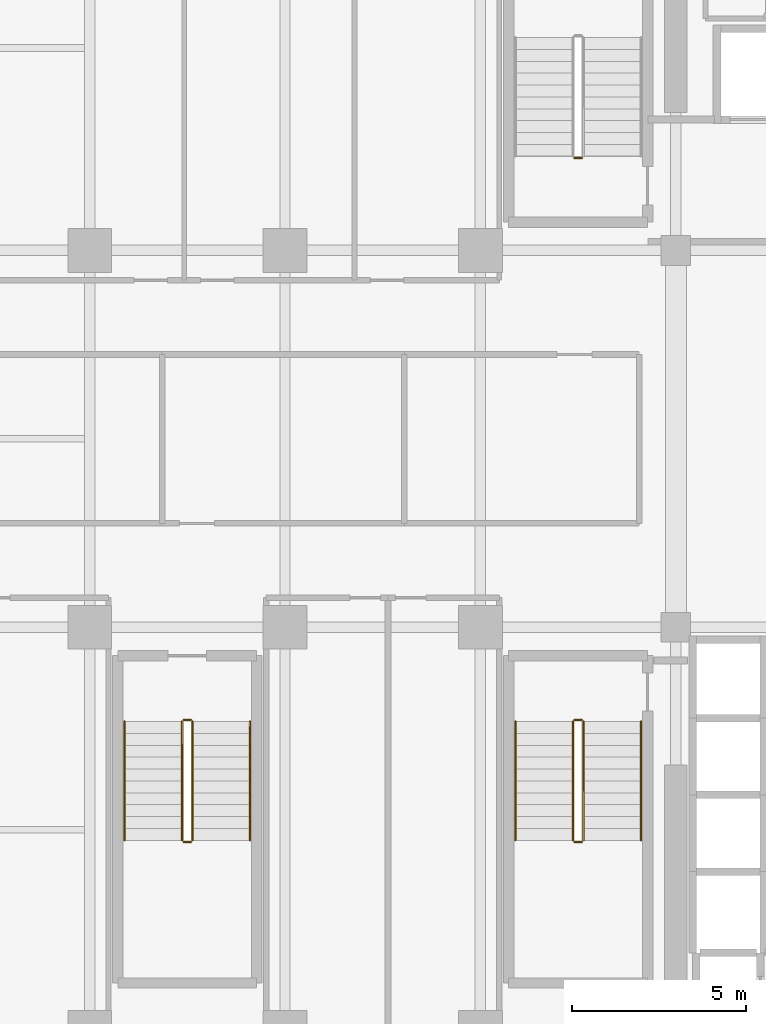
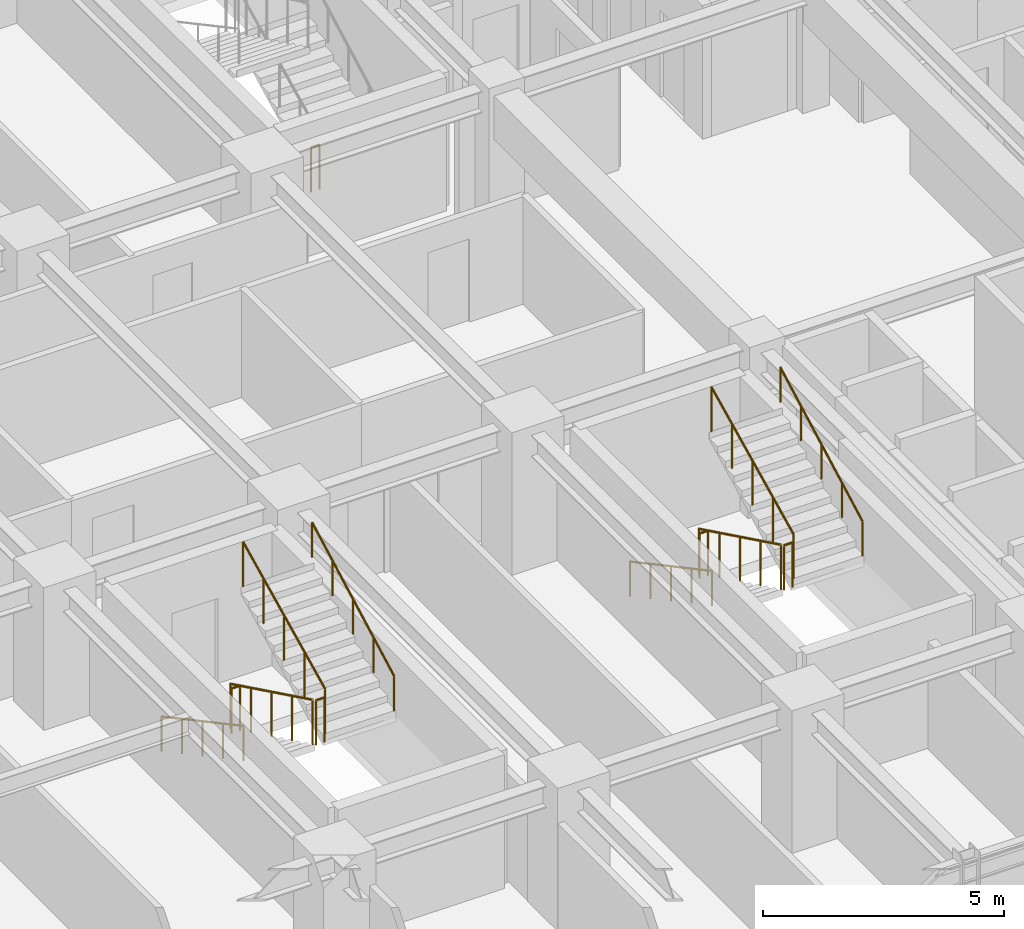
# One storey, part 31 of 34: 13 railings.
"""IFC4 building model written with IfcOpenShell, lengths in metres."""

from ifc_helpers import new_model, si_unit, direction, frame, origin, origin_2d, place, context, subcontext, project, spatial, circle, extrude, material, type_object, element, save


model = new_model("IFC4")

# Units and contexts
model_context = context("Model", 3, precision=1e-05, world=origin(), true_north=direction((0.0, 1.0)))
body_context = subcontext(model_context, "Body", "Model", "MODEL_VIEW")
ifc_project = project(units=[si_unit("LENGTHUNIT", "METRE"), si_unit("AREAUNIT", "SQUARE_METRE"), si_unit("VOLUMEUNIT", "CUBIC_METRE"), si_unit("PLANEANGLEUNIT", "RADIAN"), si_unit("MASSUNIT", "GRAM", prefix="KILO")], contexts=[model_context])

# Site, building, storey
site_placement = place(None, origin())
site = spatial("IfcSite", under=ifc_project, at=site_placement, CompositionType="ELEMENT")
building_placement = place(site_placement, origin())
building = spatial("IfcBuilding", under=site, at=building_placement, Name="Nahalor Promenade Grand Hotel", CompositionType="ELEMENT")
storey_placement = place(building_placement, frame((0.0, 0.0, 99.25)))
storey = spatial("IfcBuildingStorey", under=building, at=storey_placement, Name="L24", CompositionType="ELEMENT", Elevation=99.25)

# Railings
ifc_material = material(Name="Steel S355JR", Category="steel")
railing_type_1 = type_object("IfcRailingType", Name="Steel Stair Guardrail 1150 mm", PredefinedType="GUARDRAIL", material=ifc_material)
railing_1_placement = place(storey_placement, frame((5.699951171875, 8.050048828125, 0.0)))
element("IfcRailing", 1, at=railing_1_placement, inside=storey, type_object=railing_type_1, Name="L24 ST1 stair guard 4", PredefinedType="GUARDRAIL", context=body_context, shape_type="SweptSolid", body=[
    extrude(circle(Radius=0.024048, at=origin_2d()), frame((0.0, 0.0, 1.1259765625), z_axis=(-1.0, 0.0, 0.0), x_axis=(0.0, -1.0, 0.0)), (0.0, 0.0, 1.0), 0.199951171875),
    extrude(circle(Radius=0.020996, at=origin_2d()), origin(), (0.0, 0.0, 1.0), 1.099853515625),
    extrude(circle(Radius=0.020996, at=origin_2d()), frame((-0.199951171875, 0.0, 0.0)), (0.0, 0.0, 1.0), 1.099853515625),
])
railing_2_placement = place(storey_placement, frame((5.449951171875, -8.10009765625, 0.166015625)))
element("IfcRailing", 2, at=railing_2_placement, inside=storey, type_object=railing_type_1, Name="L24 ST2 stair guard 1", PredefinedType="GUARDRAIL", context=body_context, shape_type="SweptSolid", body=[
    extrude(circle(Radius=0.024048, at=origin_2d()), frame((0.0, 0.0, 1.1259765625), z_axis=(0.0, -0.898721922897, 0.438518990814), x_axis=(1.0, 0.0, 0.0)), (0.0, 0.0, 1.0), 3.782958984375),
    extrude(circle(Radius=0.020996, at=origin_2d()), origin(), (0.0, 0.0, 1.0), 1.099853515625),
    extrude(circle(Radius=0.020996, at=origin_2d()), frame((0.0, -0.85009765625, 0.414794921875)), (0.0, 0.0, 1.0), 1.099853515625),
    extrude(circle(Radius=0.020996, at=origin_2d()), frame((0.0, -1.699951171875, 0.82958984375)), (0.0, 0.0, 1.0), 1.099853515625),
    extrude(circle(Radius=0.020996, at=origin_2d()), frame((0.0, -2.5498046875, 1.244140625)), (0.0, 0.0, 1.0), 1.099853515625),
    extrude(circle(Radius=0.020996, at=origin_2d()), frame((0.0, -3.39990234375, 1.658935546875)), (0.0, 0.0, 1.0), 1.099853515625),
])
railing_3_placement = place(storey_placement, frame((5.5, -11.550048828125, 1.824951171875)))
element("IfcRailing", 3, at=railing_3_placement, inside=storey, type_object=railing_type_1, Name="L24 ST2 stair guard 2", PredefinedType="GUARDRAIL", context=body_context, shape_type="SweptSolid", body=[
    extrude(circle(Radius=0.024048, at=origin_2d()), frame((0.0, 0.0, 1.1259765625), z_axis=(1.0, 0.0, 0.0), x_axis=(0.0, 1.0, 0.0)), (0.0, 0.0, 1.0), 0.199951171875),
    extrude(circle(Radius=0.020996, at=origin_2d()), origin(), (0.0, 0.0, 1.0), 1.099853515625),
    extrude(circle(Radius=0.020996, at=origin_2d()), frame((0.199951171875, 0.0, 0.0)), (0.0, 0.0, 1.0), 1.099853515625),
])
railing_4_placement = place(storey_placement, frame((5.75, -11.5, 1.990966796875)))
element("IfcRailing", 4, at=railing_4_placement, inside=storey, type_object=railing_type_1, Name="L24 ST2 stair guard 3", PredefinedType="GUARDRAIL", context=body_context, shape_type="SweptSolid", body=[
    extrude(circle(Radius=0.024048, at=origin_2d()), frame((0.0, 0.0, 1.1259765625), z_axis=(0.0, 0.898721922897, 0.438518990814), x_axis=(-1.0, 0.0, 0.0)), (0.0, 0.0, 1.0), 3.782958984375),
    extrude(circle(Radius=0.020996, at=origin_2d()), origin(), (0.0, 0.0, 1.0), 1.099853515625),
    extrude(circle(Radius=0.020996, at=origin_2d()), frame((0.0, 0.85009765625, 0.414794921875)), (0.0, 0.0, 1.0), 1.099853515625),
    extrude(circle(Radius=0.020996, at=origin_2d()), frame((0.0, 1.699951171875, 0.82958984375)), (0.0, 0.0, 1.0), 1.099853515625),
    extrude(circle(Radius=0.020996, at=origin_2d()), frame((0.0, 2.5498046875, 1.244140625)), (0.0, 0.0, 1.0), 1.099853515625),
    extrude(circle(Radius=0.020996, at=origin_2d()), frame((0.0, 3.39990234375, 1.658935546875)), (0.0, 0.0, 1.0), 1.099853515625),
])
railing_5_placement = place(storey_placement, frame((5.5, -8.050048828125, 0.0)))
element("IfcRailing", 5, at=railing_5_placement, inside=storey, type_object=railing_type_1, Name="L24 ST2 stair guard 4", PredefinedType="GUARDRAIL", context=body_context, shape_type="SweptSolid", body=[
    extrude(circle(Radius=0.024048, at=origin_2d()), frame((0.0, 0.0, 1.1259765625), z_axis=(1.0, 0.0, 0.0), x_axis=(0.0, 1.0, 0.0)), (0.0, 0.0, 1.0), 0.199951171875),
    extrude(circle(Radius=0.020996, at=origin_2d()), origin(), (0.0, 0.0, 1.0), 1.099853515625),
    extrude(circle(Radius=0.020996, at=origin_2d()), frame((0.199951171875, 0.0, 0.0)), (0.0, 0.0, 1.0), 1.099853515625),
])
railing_6_placement = place(storey_placement, frame((-5.75, -8.10009765625, 0.166015625)))
element("IfcRailing", 6, at=railing_6_placement, inside=storey, type_object=railing_type_1, Name="L24 ST3 stair guard 1", PredefinedType="GUARDRAIL", context=body_context, shape_type="SweptSolid", body=[
    extrude(circle(Radius=0.024048, at=origin_2d()), frame((0.0, 0.0, 1.1259765625), z_axis=(0.0, -0.898721922897, 0.438518990814), x_axis=(1.0, 0.0, 0.0)), (0.0, 0.0, 1.0), 3.782958984375),
    extrude(circle(Radius=0.020996, at=origin_2d()), origin(), (0.0, 0.0, 1.0), 1.099853515625),
    extrude(circle(Radius=0.020996, at=origin_2d()), frame((0.0, -0.85009765625, 0.414794921875)), (0.0, 0.0, 1.0), 1.099853515625),
    extrude(circle(Radius=0.020996, at=origin_2d()), frame((0.0, -1.699951171875, 0.82958984375)), (0.0, 0.0, 1.0), 1.099853515625),
    extrude(circle(Radius=0.020996, at=origin_2d()), frame((0.0, -2.5498046875, 1.244140625)), (0.0, 0.0, 1.0), 1.099853515625),
    extrude(circle(Radius=0.020996, at=origin_2d()), frame((0.0, -3.39990234375, 1.658935546875)), (0.0, 0.0, 1.0), 1.099853515625),
])
railing_7_placement = place(storey_placement, frame((-5.699951171875, -11.550048828125, 1.824951171875)))
element("IfcRailing", 7, at=railing_7_placement, inside=storey, type_object=railing_type_1, Name="L24 ST3 stair guard 2", PredefinedType="GUARDRAIL", context=body_context, shape_type="SweptSolid", body=[
    extrude(circle(Radius=0.024048, at=origin_2d()), frame((0.0, 0.0, 1.1259765625), z_axis=(1.0, 0.0, 0.0), x_axis=(0.0, 1.0, 0.0)), (0.0, 0.0, 1.0), 0.199951171875),
    extrude(circle(Radius=0.020996, at=origin_2d()), origin(), (0.0, 0.0, 1.0), 1.099853515625),
    extrude(circle(Radius=0.020996, at=origin_2d()), frame((0.199951171875, 0.0, 0.0)), (0.0, 0.0, 1.0), 1.099853515625),
])
railing_8_placement = place(storey_placement, frame((-5.449951171875, -11.5, 1.990966796875)))
element("IfcRailing", 8, at=railing_8_placement, inside=storey, type_object=railing_type_1, Name="L24 ST3 stair guard 3", PredefinedType="GUARDRAIL", context=body_context, shape_type="SweptSolid", body=[
    extrude(circle(Radius=0.024048, at=origin_2d()), frame((0.0, 0.0, 1.1259765625), z_axis=(0.0, 0.898721922897, 0.438518990814), x_axis=(-1.0, 0.0, 0.0)), (0.0, 0.0, 1.0), 3.782958984375),
    extrude(circle(Radius=0.020996, at=origin_2d()), origin(), (0.0, 0.0, 1.0), 1.099853515625),
    extrude(circle(Radius=0.020996, at=origin_2d()), frame((0.0, 0.85009765625, 0.414794921875)), (0.0, 0.0, 1.0), 1.099853515625),
    extrude(circle(Radius=0.020996, at=origin_2d()), frame((0.0, 1.699951171875, 0.82958984375)), (0.0, 0.0, 1.0), 1.099853515625),
    extrude(circle(Radius=0.020996, at=origin_2d()), frame((0.0, 2.5498046875, 1.244140625)), (0.0, 0.0, 1.0), 1.099853515625),
    extrude(circle(Radius=0.020996, at=origin_2d()), frame((0.0, 3.39990234375, 1.658935546875)), (0.0, 0.0, 1.0), 1.099853515625),
])
railing_9_placement = place(storey_placement, frame((-5.699951171875, -8.050048828125, 0.0)))
element("IfcRailing", 9, at=railing_9_placement, inside=storey, type_object=railing_type_1, Name="L24 ST3 stair guard 4", PredefinedType="GUARDRAIL", context=body_context, shape_type="SweptSolid", body=[
    extrude(circle(Radius=0.024048, at=origin_2d()), frame((0.0, 0.0, 1.1259765625), z_axis=(1.0, 0.0, 0.0), x_axis=(0.0, 1.0, 0.0)), (0.0, 0.0, 1.0), 0.199951171875),
    extrude(circle(Radius=0.020996, at=origin_2d()), origin(), (0.0, 0.0, 1.0), 1.099853515625),
    extrude(circle(Radius=0.020996, at=origin_2d()), frame((0.199951171875, 0.0, 0.0)), (0.0, 0.0, 1.0), 1.099853515625),
])
railing_type_2 = type_object("IfcRailingType", Name="Steel Stair Handrail 900 mm", PredefinedType="HANDRAIL", material=ifc_material)
railing_10_placement = place(storey_placement, frame((3.800048828125, -8.10009765625, 0.166015625)))
element("IfcRailing", 10, at=railing_10_placement, inside=storey, type_object=railing_type_2, Name="L24 ST2 stair handrail 1", PredefinedType="HANDRAIL", context=body_context, shape_type="SweptSolid", body=[
    extrude(circle(Radius=0.024048, at=origin_2d()), frame((0.0, 0.0, 0.8759765625), z_axis=(0.0, -0.881094038095, 0.47294111265), x_axis=(1.0, 0.0, 0.0)), (0.0, 0.0, 1.0), 3.858642578125),
    extrude(circle(Radius=0.020996, at=origin_2d()), origin(), (0.0, 0.0, 1.0), 0.849853515625),
    extrude(circle(Radius=0.020996, at=origin_2d()), frame((0.0, -0.85009765625, 0.456298828125)), (0.0, 0.0, 1.0), 0.849853515625),
    extrude(circle(Radius=0.020996, at=origin_2d()), frame((0.0, -1.699951171875, 0.91259765625)), (0.0, 0.0, 1.0), 0.849853515625),
    extrude(circle(Radius=0.020996, at=origin_2d()), frame((0.0, -2.5498046875, 1.36865234375)), (0.0, 0.0, 1.0), 0.849853515625),
    extrude(circle(Radius=0.020996, at=origin_2d()), frame((0.0, -3.39990234375, 1.824951171875)), (0.0, 0.0, 1.0), 0.849853515625),
])
railing_11_placement = place(storey_placement, frame((7.39990234375, -11.5, 1.990966796875)))
element("IfcRailing", 11, at=railing_11_placement, inside=storey, type_object=railing_type_2, Name="L24 ST2 stair handrail 2", PredefinedType="HANDRAIL", context=body_context, shape_type="SweptSolid", body=[
    extrude(circle(Radius=0.024048, at=origin_2d()), frame((0.0, 0.0, 0.8759765625), z_axis=(0.0, 0.881094038095, 0.47294111265), x_axis=(-1.0, 0.0, 0.0)), (0.0, 0.0, 1.0), 3.858642578125),
    extrude(circle(Radius=0.020996, at=origin_2d()), origin(), (0.0, 0.0, 1.0), 0.849853515625),
    extrude(circle(Radius=0.020996, at=origin_2d()), frame((0.0, 0.85009765625, 0.456298828125)), (0.0, 0.0, 1.0), 0.849853515625),
    extrude(circle(Radius=0.020996, at=origin_2d()), frame((0.0, 1.699951171875, 0.91259765625)), (0.0, 0.0, 1.0), 0.849853515625),
    extrude(circle(Radius=0.020996, at=origin_2d()), frame((0.0, 2.5498046875, 1.36865234375)), (0.0, 0.0, 1.0), 0.849853515625),
    extrude(circle(Radius=0.020996, at=origin_2d()), frame((0.0, 3.39990234375, 1.824951171875)), (0.0, 0.0, 1.0), 0.849853515625),
])
railing_12_placement = place(storey_placement, frame((-7.39990234375, -8.10009765625, 0.166015625)))
element("IfcRailing", 12, at=railing_12_placement, inside=storey, type_object=railing_type_2, Name="L24 ST3 stair handrail 1", PredefinedType="HANDRAIL", context=body_context, shape_type="SweptSolid", body=[
    extrude(circle(Radius=0.024048, at=origin_2d()), frame((0.0, 0.0, 0.8759765625), z_axis=(0.0, -0.881094038095, 0.47294111265), x_axis=(1.0, 0.0, 0.0)), (0.0, 0.0, 1.0), 3.858642578125),
    extrude(circle(Radius=0.020996, at=origin_2d()), origin(), (0.0, 0.0, 1.0), 0.849853515625),
    extrude(circle(Radius=0.020996, at=origin_2d()), frame((0.0, -0.85009765625, 0.456298828125)), (0.0, 0.0, 1.0), 0.849853515625),
    extrude(circle(Radius=0.020996, at=origin_2d()), frame((0.0, -1.699951171875, 0.91259765625)), (0.0, 0.0, 1.0), 0.849853515625),
    extrude(circle(Radius=0.020996, at=origin_2d()), frame((0.0, -2.5498046875, 1.36865234375)), (0.0, 0.0, 1.0), 0.849853515625),
    extrude(circle(Radius=0.020996, at=origin_2d()), frame((0.0, -3.39990234375, 1.824951171875)), (0.0, 0.0, 1.0), 0.849853515625),
])
railing_13_placement = place(storey_placement, frame((-3.800048828125, -11.5, 1.990966796875)))
element("IfcRailing", 13, at=railing_13_placement, inside=storey, type_object=railing_type_2, Name="L24 ST3 stair handrail 2", PredefinedType="HANDRAIL", context=body_context, shape_type="SweptSolid", body=[
    extrude(circle(Radius=0.024048, at=origin_2d()), frame((0.0, 0.0, 0.8759765625), z_axis=(0.0, 0.881094038095, 0.47294111265), x_axis=(-1.0, 0.0, 0.0)), (0.0, 0.0, 1.0), 3.858642578125),
    extrude(circle(Radius=0.020996, at=origin_2d()), origin(), (0.0, 0.0, 1.0), 0.849853515625),
    extrude(circle(Radius=0.020996, at=origin_2d()), frame((0.0, 0.85009765625, 0.456298828125)), (0.0, 0.0, 1.0), 0.849853515625),
    extrude(circle(Radius=0.020996, at=origin_2d()), frame((0.0, 1.699951171875, 0.91259765625)), (0.0, 0.0, 1.0), 0.849853515625),
    extrude(circle(Radius=0.020996, at=origin_2d()), frame((0.0, 2.5498046875, 1.36865234375)), (0.0, 0.0, 1.0), 0.849853515625),
    extrude(circle(Radius=0.020996, at=origin_2d()), frame((0.0, 3.39990234375, 1.824951171875)), (0.0, 0.0, 1.0), 0.849853515625),
])

save(model, "model.ifc")
